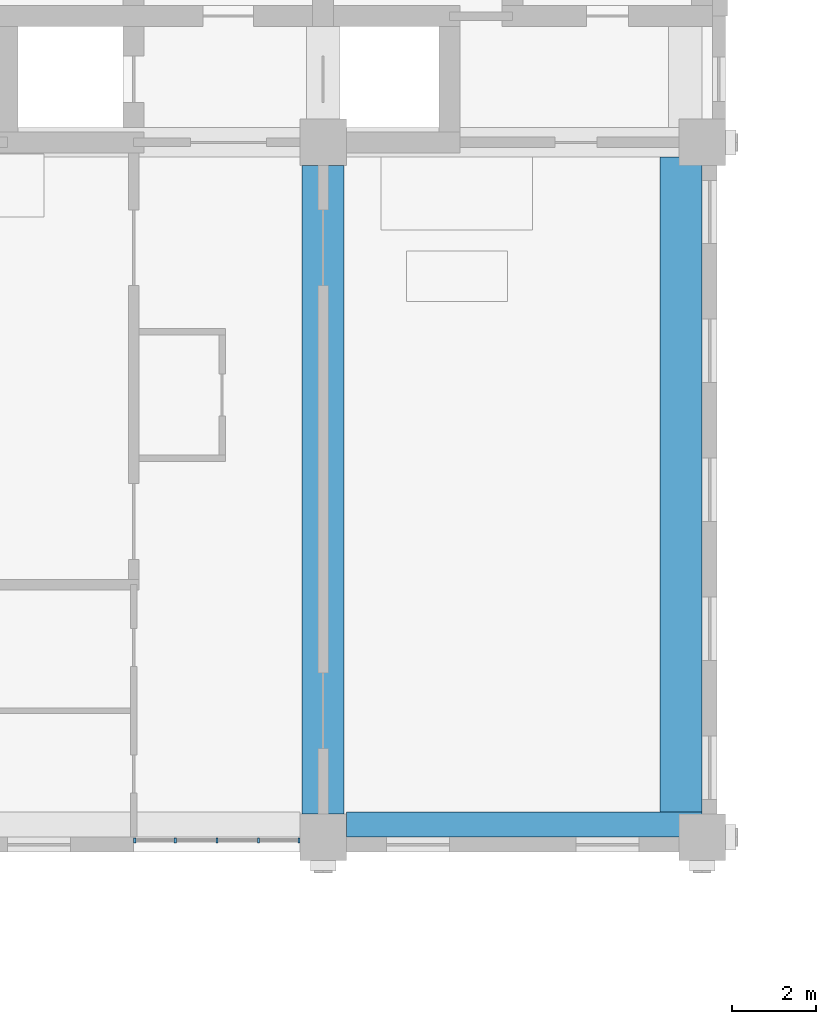
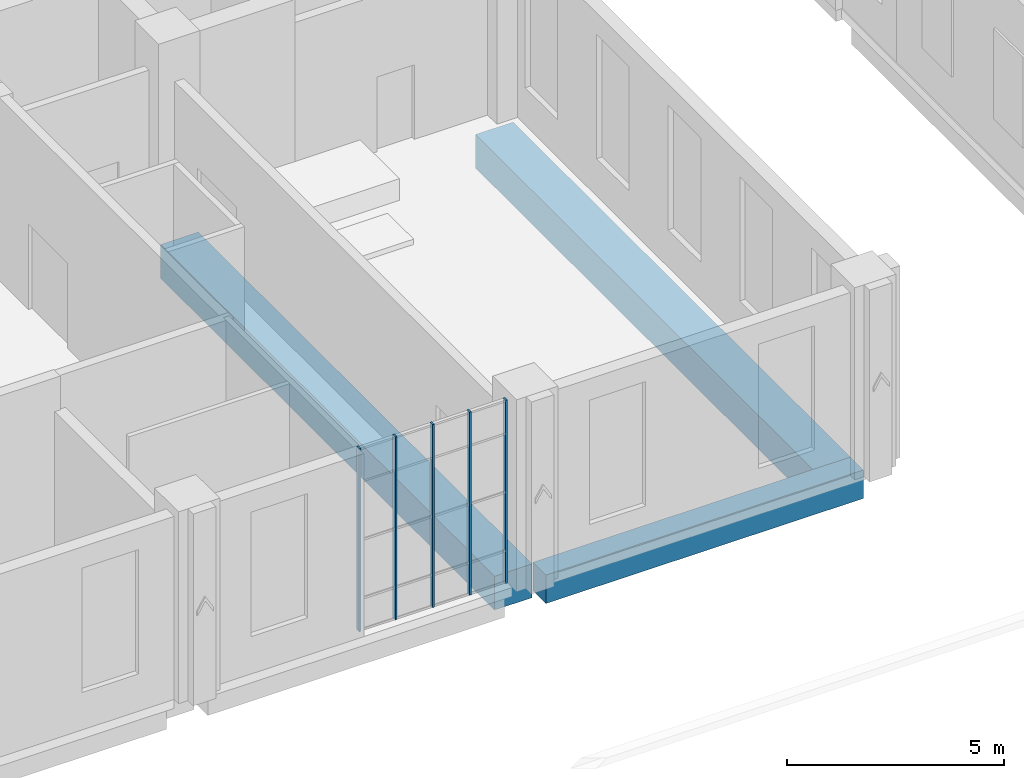
# One storey, part 5 of 37: 5 members, 3 beams, 1 element without a shape of its own.
"""IFC4 building model written with IfcOpenShell, lengths in metres."""

from ifc_helpers import new_model, si_unit, direction, frame, origin, origin_2d, place, context, subcontext, project, spatial, rectangle, extrude, material, layer, layer_set, material_profile, profile_set, type_object, element, aggregate, save


model = new_model("IFC4")

# Units and contexts
model_context = context("Model", 3, precision=1e-05, world=origin(), true_north=direction((0.0, 1.0)))
body_context = subcontext(model_context, "Body", "Model", "MODEL_VIEW")
ifc_project = project(units=[si_unit("LENGTHUNIT", "METRE"), si_unit("AREAUNIT", "SQUARE_METRE"), si_unit("VOLUMEUNIT", "CUBIC_METRE"), si_unit("PLANEANGLEUNIT", "RADIAN"), si_unit("MASSUNIT", "GRAM", prefix="KILO")], contexts=[model_context])

# Site, building, storey
site_placement = place(None, origin())
site = spatial("IfcSite", under=ifc_project, at=site_placement, CompositionType="ELEMENT")
building_placement = place(site_placement, origin())
building = spatial("IfcBuilding", under=site, at=building_placement, Name="Aurelan Courthouse", CompositionType="ELEMENT")
storey_placement = place(building_placement, frame((0.0, 0.0, 17.39990234375)))
storey = spatial("IfcBuildingStorey", under=building, at=storey_placement, Name="L03", CompositionType="ELEMENT", Elevation=17.39990234375)

# Curtain wall, members
ifc_material_1 = material(Name="Bronze-finished aluminium and glass", Category="aluminium")
ifc_layer = layer(ifc_material_1, 0.14990234375)
ifc_layer_set = layer_set([ifc_layer], Name="Bronze-finished aluminium and glass")
curtain_wall_type = type_object("IfcCurtainWallType", Name="Curtain wall 3950 x 5150", PredefinedType="NOTDEFINED", material=ifc_layer_set)
curtain_wall_placement = place(storey_placement, origin())
curtain_wall = element("IfcCurtainWall", 1, at=curtain_wall_placement, inside=storey, type_object=curtain_wall_type, Name="Curtain wall CW-V2-L03-S01", PredefinedType="NOTDEFINED")
ifc_material_2 = material(Name="Bronze-finished aluminium", Category="aluminium")
ifc_material_profile_1 = material_profile(ifc_material_2, rectangle(XDim=0.1201171875, YDim=0.050048828125, at=origin_2d()), Name="Bronze mullion 50 x 120")
ifc_profile_set_1 = profile_set([ifc_material_profile_1], Name="Bronze-finished aluminium")
member_type = type_object("IfcMemberType", Name="Curtain wall mullion 50 x 120", PredefinedType="MULLION", material=ifc_profile_set_1)
member_1_placement = place(storey_placement, frame((49.52490234375, 37.425048828125, 0.0), z_axis=(0.0, 0.0, 1.0), x_axis=(0.0, 1.0, 0.0)))
member_1 = element("IfcMember", 2, at=member_1_placement, type_object=member_type, Name="CW-V2-L03-S01 mullion 1", PredefinedType="MULLION", context=body_context, shape_type="SweptSolid", body=[
    extrude(rectangle(XDim=0.1201171875, YDim=0.050048828125, at=origin_2d()), origin(), (0.0, 0.0, 1.0), 5.150146484375),
])
member_2_placement = place(storey_placement, frame((50.487548828125, 37.425048828125, 0.0), z_axis=(0.0, 0.0, 1.0), x_axis=(0.0, 1.0, 0.0)))
member_2 = element("IfcMember", 3, at=member_2_placement, type_object=member_type, Name="CW-V2-L03-S01 mullion 2", PredefinedType="MULLION", context=body_context, shape_type="SweptSolid", body=[
    extrude(rectangle(XDim=0.1201171875, YDim=0.050048828125, at=origin_2d()), origin(), (0.0, 0.0, 1.0), 5.150146484375),
])
member_3_placement = place(storey_placement, frame((51.47509765625, 37.425048828125, 0.0), z_axis=(0.0, 0.0, 1.0), x_axis=(0.0, 1.0, 0.0)))
member_3 = element("IfcMember", 4, at=member_3_placement, type_object=member_type, Name="CW-V2-L03-S01 mullion 3", PredefinedType="MULLION", context=body_context, shape_type="SweptSolid", body=[
    extrude(rectangle(XDim=0.1201171875, YDim=0.050048828125, at=origin_2d()), origin(), (0.0, 0.0, 1.0), 5.150146484375),
])
member_4_placement = place(storey_placement, frame((52.46240234375, 37.425048828125, 0.0), z_axis=(0.0, 0.0, 1.0), x_axis=(0.0, 1.0, 0.0)))
member_4 = element("IfcMember", 5, at=member_4_placement, type_object=member_type, Name="CW-V2-L03-S01 mullion 4", PredefinedType="MULLION", context=body_context, shape_type="SweptSolid", body=[
    extrude(rectangle(XDim=0.1201171875, YDim=0.050048828125, at=origin_2d()), origin(), (0.0, 0.0, 1.0), 5.150146484375),
])
member_5_placement = place(storey_placement, frame((53.425048828125, 37.425048828125, 0.0), z_axis=(0.0, 0.0, 1.0), x_axis=(0.0, 1.0, 0.0)))
member_5 = element("IfcMember", 6, at=member_5_placement, type_object=member_type, Name="CW-V2-L03-S01 mullion 5", PredefinedType="MULLION", context=body_context, shape_type="SweptSolid", body=[
    extrude(rectangle(XDim=0.1201171875, YDim=0.050048828125, at=origin_2d()), origin(), (0.0, 0.0, 1.0), 5.150146484375),
])
aggregate(curtain_wall, [member_1, member_2, member_3, member_4, member_5])

# Beams
ifc_material_3 = material(Name="Concrete C50", Category="concrete")
ifc_material_profile_2 = material_profile(ifc_material_3, rectangle(XDim=1.0, YDim=0.949951171875, at=origin_2d()), Name="RC 1000 x 950")
ifc_profile_set_2 = profile_set([ifc_material_profile_2], Name="Concrete C50")
beam_type_1 = type_object("IfcBeamType", Name="PT girder 1000 x 950", PredefinedType="BEAM", material=ifc_profile_set_2)
beam_1_placement = place(storey_placement, frame((54.0, 38.050048828125, -0.724853515625), z_axis=(0.0, 1.0, 0.0), x_axis=(-1.0, 0.0, 0.0)))
element("IfcBeam", 7, at=beam_1_placement, inside=storey, type_object=beam_type_1, Name="Girder GB-7DE", PredefinedType="BEAM", context=body_context, shape_type="SweptSolid", body=[
    extrude(rectangle(XDim=1.0, YDim=0.949951171875, at=origin_2d()), origin(), (0.0, 0.0, 1.0), 15.39990234375),
])
beam_2_placement = place(storey_placement, frame((62.5, 38.10009765625, -0.724853515625), z_axis=(0.0, 1.0, 0.0), x_axis=(-1.0, 0.0, 0.0)))
element("IfcBeam", 8, at=beam_2_placement, inside=storey, type_object=beam_type_1, Name="Girder GB-8DE-E", PredefinedType="BEAM", context=body_context, shape_type="SweptSolid", body=[
    extrude(rectangle(XDim=1.0, YDim=0.949951171875, at=origin_2d()), origin(), (0.0, 0.0, 1.0), 15.5498046875),
])
ifc_material_profile_3 = material_profile(ifc_material_3, rectangle(XDim=0.60009765625, YDim=0.800048828125, at=origin_2d()), Name="RC 600 x 800")
ifc_profile_set_3 = profile_set([ifc_material_profile_3], Name="Concrete C50")
beam_type_2 = type_object("IfcBeamType", Name="RC spandrel beam 600 x 800", PredefinedType="SPANDREL", material=ifc_profile_set_3)
beam_3_placement = place(storey_placement, frame((54.550048828125, 37.800048828125, -0.64990234375), z_axis=(1.0, 0.0, 0.0), x_axis=(0.0, 1.0, 0.0)))
element("IfcBeam", 9, at=beam_3_placement, inside=storey, type_object=beam_type_2, Name="Spandrel beam SB-D-7-8", PredefinedType="SPANDREL", context=body_context, shape_type="SweptSolid", body=[
    extrude(rectangle(XDim=0.60009765625, YDim=0.800048828125, at=origin_2d()), origin(), (0.0, 0.0, 1.0), 8.449951171875),
])

save(model, "model.ifc")
